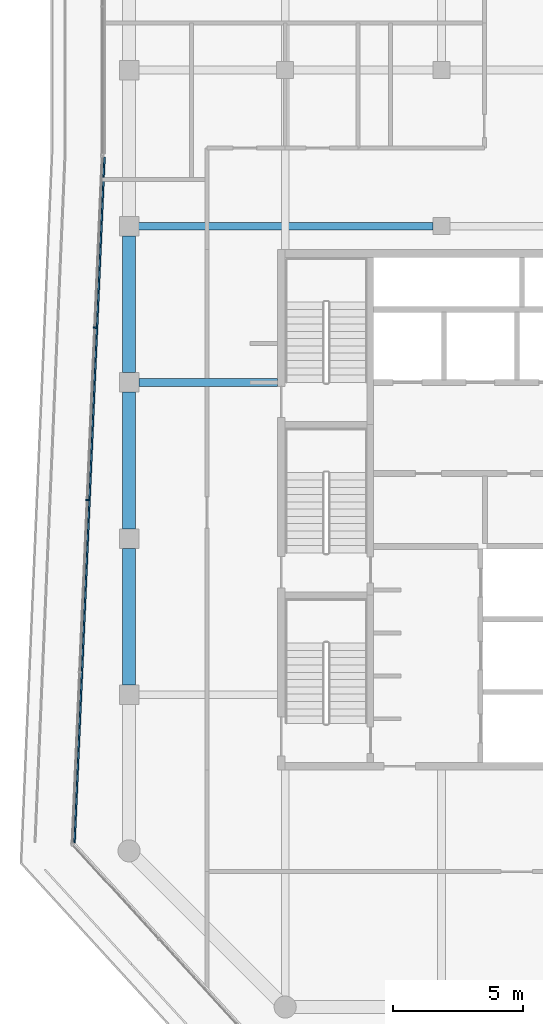
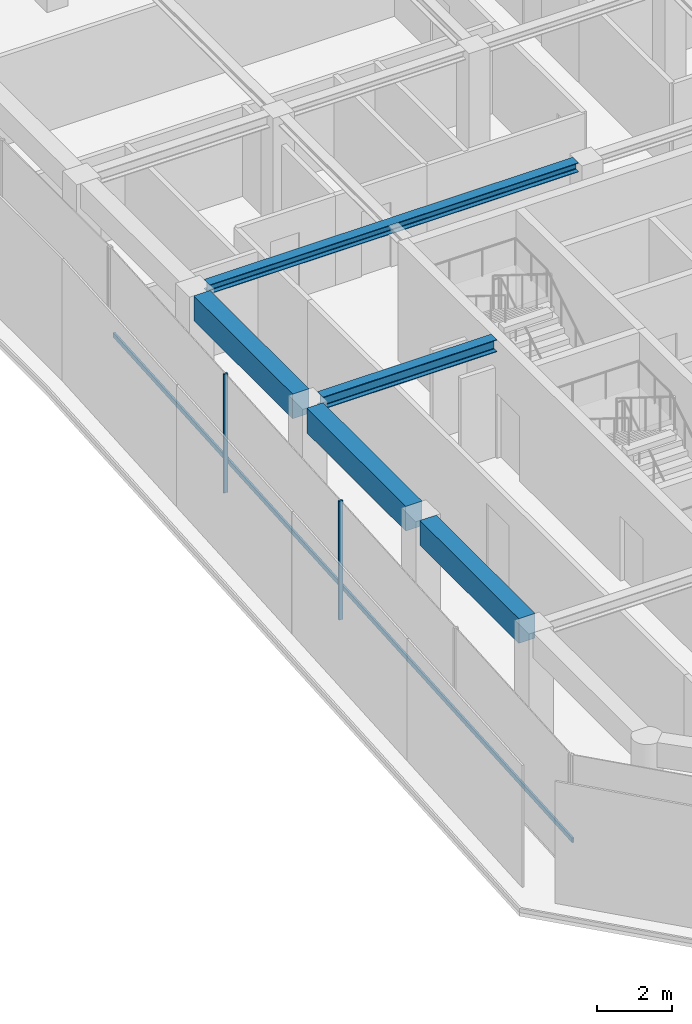
# One storey, part 4 of 19: 5 beams, 3 members, 1 element without a shape of its own.
"""IFC4 building model written with IfcOpenShell, lengths in metres."""

from ifc_helpers import new_model, si_unit, direction, frame, origin, origin_2d, place, context, subcontext, project, spatial, rectangle, i_section, extrude, material, layer, layer_set, material_profile, profile_set, type_object, element, aggregate, save


model = new_model("IFC4")

# Units and contexts
model_context = context("Model", 3, precision=1e-05, world=origin(), true_north=direction((0.0, 1.0)))
body_context = subcontext(model_context, "Body", "Model", "MODEL_VIEW")
ifc_project = project(units=[si_unit("LENGTHUNIT", "METRE"), si_unit("AREAUNIT", "SQUARE_METRE"), si_unit("VOLUMEUNIT", "CUBIC_METRE"), si_unit("PLANEANGLEUNIT", "RADIAN"), si_unit("MASSUNIT", "GRAM", prefix="KILO")], contexts=[model_context])

# Site, building, storey
site_placement = place(None, origin())
site = spatial("IfcSite", under=ifc_project, at=site_placement, CompositionType="ELEMENT")
building_placement = place(site_placement, origin())
building = spatial("IfcBuilding", under=site, at=building_placement, Name="Welwitschia Terrace Campus", CompositionType="ELEMENT")
storey_placement = place(building_placement, frame((0.0, 0.0, 276.800048828125)))
storey = spatial("IfcBuildingStorey", under=building, at=storey_placement, Name="L61", CompositionType="ELEMENT", Elevation=276.800048828125)

# Beam
ifc_material_1 = material(Name="Steel S355", Category="steel")
ifc_material_profile_1 = material_profile(ifc_material_1, i_section(OverallWidth=0.300048828125, OverallDepth=0.300048828125, WebThickness=0.010986328125, FlangeThickness=0.01904296875, FilletRadius=0.027099609375, at=origin_2d()))
ifc_profile_set_1 = profile_set([ifc_material_profile_1], Name="Steel S355")
beam_type_1 = type_object("IfcBeamType", Name="Interior girder HE 300 B", PredefinedType="BEAM", material=ifc_profile_set_1)
beam_1_placement = place(storey_placement, frame((0.365478515625, 26.0, 3.699951171875), z_axis=(1.0, 0.0, 0.0), x_axis=(0.0, 1.0, 0.0)))
element("IfcBeam", 1, at=beam_1_placement, inside=storey, type_object=beam_type_1, Name="Girder GB6", PredefinedType="BEAM", context=body_context, shape_type="SweptSolid", body=[
    extrude(i_section(OverallWidth=0.300048828125, OverallDepth=0.300048828125, WebThickness=0.010986328125, FlangeThickness=0.01904296875, FilletRadius=0.027099609375, at=origin_2d()), origin(), (0.0, 0.0, 1.0), 11.30908203125),
])

# Curtain wall, members
ifc_material_2 = material(Name="Bronze anodised aluminium", Category="aluminium")
ifc_layer = layer(ifc_material_2, 0.1201171875)
ifc_layer_set = layer_set([ifc_layer], Name="Bronze anodised aluminium")
curtain_wall_type = type_object("IfcCurtainWallType", Name="Curtain wall CW2 tower 6000", PredefinedType="NOTDEFINED", material=ifc_layer_set)
curtain_wall_placement = place(storey_placement, origin())
curtain_wall = element("IfcCurtainWall", 2, at=curtain_wall_placement, inside=storey, type_object=curtain_wall_type, Name="CW L61.0.0", PredefinedType="NOTDEFINED")
ifc_material_3 = material(Name="Bronze anodised aluminium", Category="aluminium")
ifc_material_profile_2 = material_profile(ifc_material_3, rectangle(XDim=0.1201171875, YDim=0.06005859375, at=origin_2d()))
ifc_profile_set_2 = profile_set([ifc_material_profile_2], Name="Bronze anodised aluminium")
member_type_1 = type_object("IfcMemberType", Name="Mullion 60x120", PredefinedType="MULLION", material=ifc_profile_set_2)
member_1_placement = place(storey_placement, frame((-1.31884765625, 22.099853515625, 0.0), z_axis=(0.0, 0.0, 1.0), x_axis=(0.999048221582, -0.043619387365, 0.0)))
member_1 = element("IfcMember", 3, at=member_1_placement, type_object=member_type_1, Name="Mullion L61.0.0.1", PredefinedType="MULLION", context=body_context, shape_type="SweptSolid", body=[
    extrude(rectangle(XDim=0.1201171875, YDim=0.06005859375, at=origin_2d()), origin(), (0.0, 0.0, 1.0), 3.849853515625),
])
member_2_placement = place(storey_placement, frame((-1.607666015625, 15.484375, 0.0), z_axis=(0.0, 0.0, 1.0), x_axis=(0.999048221582, -0.043619387365, 0.0)))
member_2 = element("IfcMember", 4, at=member_2_placement, type_object=member_type_1, Name="Mullion L61.0.0.2", PredefinedType="MULLION", context=body_context, shape_type="SweptSolid", body=[
    extrude(rectangle(XDim=0.1201171875, YDim=0.06005859375, at=origin_2d()), origin(), (0.0, 0.0, 1.0), 3.849853515625),
])

# Beams
ifc_material_4 = material(Name="Steel S355", Category="steel")
ifc_material_profile_3 = material_profile(ifc_material_4, i_section(OverallWidth=0.300048828125, OverallDepth=0.39990234375, WebThickness=0.013427734375, FlangeThickness=0.02392578125, FilletRadius=0.027099609375, at=origin_2d()))
ifc_profile_set_3 = profile_set([ifc_material_profile_3], Name="Steel S355")
beam_type_2 = type_object("IfcBeamType", Name="Primary beam HE 400 B", PredefinedType="BEAM", material=ifc_profile_set_3)
beam_2_placement = place(storey_placement, frame((0.37548828125, 20.0, 3.64990234375), z_axis=(1.0, 0.0, 0.0), x_axis=(0.0, 1.0, 0.0)))
element("IfcBeam", 5, at=beam_2_placement, inside=storey, type_object=beam_type_2, Name="Primary beam PB6", PredefinedType="BEAM", context=body_context, shape_type="SweptSolid", body=[
    extrude(i_section(OverallWidth=0.300048828125, OverallDepth=0.39990234375, WebThickness=0.013427734375, FlangeThickness=0.02392578125, FilletRadius=0.027099609375, at=origin_2d()), origin(), (0.0, 0.0, 1.0), 5.324462890625),
])
ifc_material_5 = material(Name="Concrete C50/60", Category="concrete")
ifc_material_profile_4 = material_profile(ifc_material_5, rectangle(XDim=0.5, YDim=0.800048828125, at=origin_2d()))
ifc_profile_set_4 = profile_set([ifc_material_profile_4], Name="Concrete C50/60")
beam_type_3 = type_object("IfcBeamType", Name="Ring spandrel 500x800", PredefinedType="SPANDREL", material=ifc_profile_set_4)
for number, where, z_axis, x_axis, name in (
    (6, (0.0, 25.62451171875, 3.449951171875), (0.0, -1.0, 0.0), (1.0, 0.0, 0.0), "Spandrel SP4"),
    (7, (0.0, 19.62451171875, 3.449951171875), (0.0, -1.0, 0.0), (1.0, 0.0, 0.0), "Spandrel SP4"),
    (8, (0.0, 13.62451171875, 3.449951171875), (0.0, -1.0, 0.0), (1.0, 0.0, 0.0), "Spandrel SP4"),
):
    element("IfcBeam", number, at=place(storey_placement, frame(where, z_axis=z_axis, x_axis=x_axis)), inside=storey, type_object=beam_type_3, Name=name, PredefinedType="SPANDREL", context=body_context, shape_type="SweptSolid", body=[
        extrude(rectangle(XDim=0.5, YDim=0.800048828125, at=origin_2d()), origin(), (0.0, 0.0, 1.0), 5.2490234375),
    ])

# Member
ifc_material_6 = material(Name="Bronze anodised aluminium", Category="aluminium")
ifc_material_profile_5 = material_profile(ifc_material_6, rectangle(XDim=0.06005859375, YDim=0.14990234375, at=origin_2d()))
ifc_profile_set_5 = profile_set([ifc_material_profile_5], Name="Bronze anodised aluminium")
member_type_2 = type_object("IfcMemberType", Name="Transom 60x150", PredefinedType="USERDEFINED", material=ifc_profile_set_5)
member_3_placement = place(storey_placement, frame((-0.942626953125, 28.651611328125, 1.0), z_axis=(-0.043620048896, -0.999048192699, 0.0), x_axis=(0.999048192699, -0.043620048896, 0.0)))
member_3 = element("IfcMember", 9, at=member_3_placement, type_object=member_type_2, Name="Transom L61.0.0", ObjectType="TRANSOM", PredefinedType="USERDEFINED", context=body_context, shape_type="SweptSolid", body=[
    extrude(rectangle(XDim=0.06005859375, YDim=0.14990234375, at=origin_2d()), origin(), (0.0, 0.0, 1.0), 26.367431640625),
])

aggregate(curtain_wall, [member_1, member_2, member_3])

save(model, "model.ifc")
